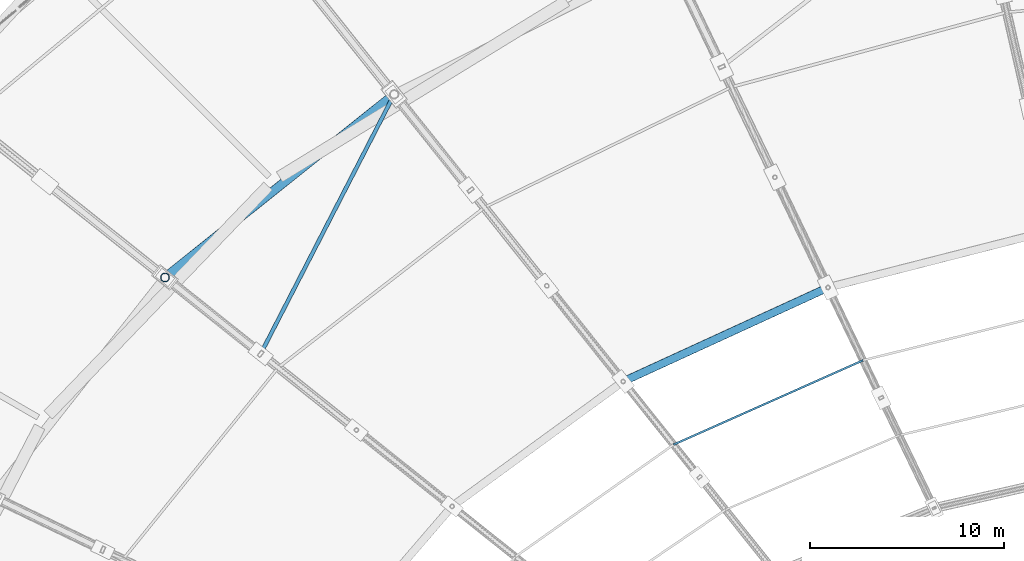
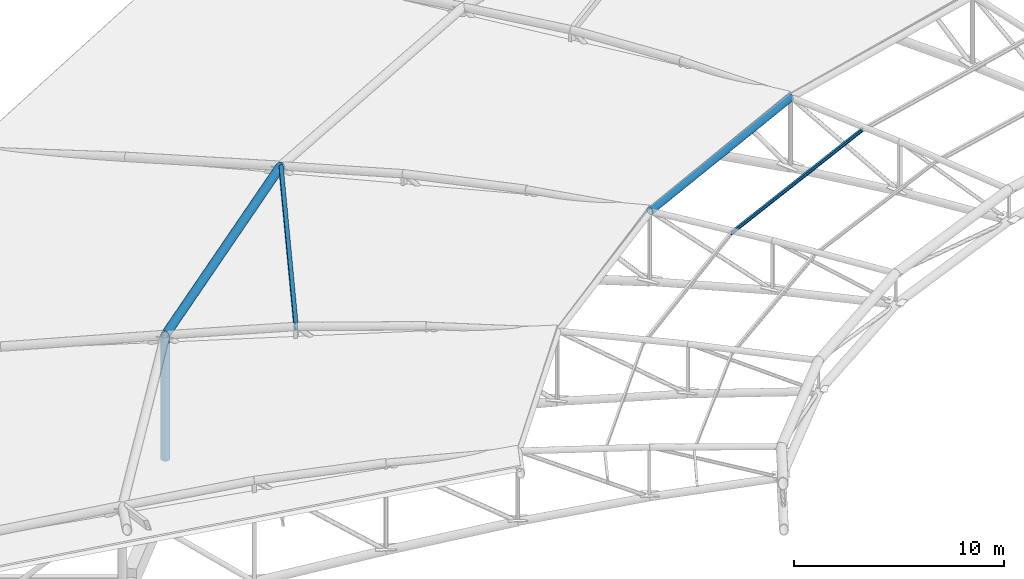
# One storey, part 42 of 108: 5 members.
"""IFC4 building model written with IfcOpenShell, lengths in metres."""

from ifc_helpers import new_model, si_unit, direction, frame, origin, origin_2d, place, context, subcontext, project, spatial, hollow_rectangle, hollow_circle, i_section, extrude, material, material_profile, profile_set, type_object, element, save


model = new_model("IFC4")

# Units and contexts
model_context = context("Model", 3, precision=1e-05, world=origin(), true_north=direction((0.0, 1.0)))
body_context = subcontext(model_context, "Body", "Model", "MODEL_VIEW")
ifc_project = project(units=[si_unit("LENGTHUNIT", "METRE"), si_unit("AREAUNIT", "SQUARE_METRE"), si_unit("VOLUMEUNIT", "CUBIC_METRE"), si_unit("PLANEANGLEUNIT", "RADIAN"), si_unit("MASSUNIT", "GRAM", prefix="KILO")], contexts=[model_context])

# Site, building, storey
site_placement = place(None, origin())
site = spatial("IfcSite", under=ifc_project, at=site_placement, CompositionType="ELEMENT")
building_placement = place(site_placement, origin())
building = spatial("IfcBuilding", under=site, at=building_placement, Name="Zevraka Park Crest Stadium", CompositionType="ELEMENT")
storey_placement = place(building_placement, frame((0.0, 0.0, 29.39990234375)))
storey = spatial("IfcBuildingStorey", under=building, at=storey_placement, Name="RF", CompositionType="ELEMENT", Elevation=29.39990234375)

# Members
ifc_material_1 = material(Name="Steel S355", Category="steel")
ifc_material_profile_1 = material_profile(ifc_material_1, i_section(OverallWidth=0.10009765625, OverallDepth=0.199951171875, WebThickness=0.005615234375, FlangeThickness=0.008544921875, at=origin_2d()), Name="IPE 200")
ifc_profile_set_1 = profile_set([ifc_material_profile_1], Name="Steel S355")
member_type_1 = type_object("IfcMemberType", Name="PR03", PredefinedType="PURLIN", material=ifc_profile_set_1)
member_1_placement = place(storey_placement, frame((89.679931640625, 124.8330078125, 9.173095703125), z_axis=(-0.913569046429, -0.406683657658, 0.0), x_axis=(0.406683657658, -0.913569046429, 0.0)))
element("IfcMember", 1, at=member_1_placement, inside=storey, type_object=member_type_1, Name="Canopy Roof Purlin PR03 INNER-10-1", PredefinedType="PURLIN", context=body_context, shape_type="SweptSolid", body=[
    extrude(i_section(OverallWidth=0.10009765625, OverallDepth=0.199951171875, WebThickness=0.005615234375, FlangeThickness=0.008544921875, at=origin_2d()), origin(), (0.0, 0.0, 1.0), 10.6767578125),
])
ifc_material_2 = material(Name="Steel S355", Category="steel")
ifc_material_profile_2 = material_profile(ifc_material_2, hollow_circle(Radius=0.228515625, WallThickness=0.02490234375, at=origin_2d()), Name="CHS 457.0x25")
ifc_profile_set_2 = profile_set([ifc_material_profile_2], Name="Steel S355")
member_type_2 = type_object("IfcMemberType", Name="TC02", PredefinedType="CHORD", material=ifc_profile_set_2)
member_2_placement = place(storey_placement, frame((53.75390625, 129.097900390625, 0.0), z_axis=(0.0, 0.0, 1.0), x_axis=(-0.781847027868, 0.623470308046, 0.0)))
element("IfcMember", 2, at=member_2_placement, inside=storey, type_object=member_type_2, Name="Roof Truss Anchor Strut TC02 T12-2", PredefinedType="CHORD", context=body_context, shape_type="SweptSolid", body=[
    extrude(hollow_circle(Radius=0.228515625, WallThickness=0.02490234375, at=origin_2d()), origin(), (0.0, 0.0, 1.0), 7.2001953125),
])
member_3_placement = place(storey_placement, frame((65.550048828125, 138.51904296875, 7.2001953125), z_axis=(-0.781378161986, -0.624057824221, 0.0), x_axis=(0.624057824221, -0.781378161986, 0.0)))
element("IfcMember", 3, at=member_3_placement, inside=storey, type_object=member_type_2, Name="Roof Main Bowl-Rim Ring Chord TC02 11", PredefinedType="CHORD", context=body_context, shape_type="SweptSolid", body=[
    extrude(hollow_circle(Radius=0.228515625, WallThickness=0.02490234375, at=origin_2d()), origin(), (0.0, 0.0, 1.0), 15.0966796875),
])
ifc_material_3 = material(Name="Steel S355", Category="steel")
ifc_material_profile_3 = material_profile(ifc_material_3, hollow_circle(Radius=0.203125, WallThickness=0.02001953125, at=origin_2d()), Name="CHS 406.4x20")
ifc_profile_set_3 = profile_set([ifc_material_profile_3], Name="Steel S355")
member_type_3 = type_object("IfcMemberType", Name="TC03", PredefinedType="CHORD", material=ifc_profile_set_3)
member_4_placement = place(storey_placement, frame((87.8759765625, 128.5791015625, 9.400146484375), z_axis=(-0.908888015597, -0.417040255976, 0.0), x_axis=(0.417040255976, -0.908888015597, 0.0)))
element("IfcMember", 4, at=member_4_placement, inside=storey, type_object=member_type_3, Name="Roof Canopy Arch Crown Ring Chord TC03 10", PredefinedType="CHORD", context=body_context, shape_type="SweptSolid", body=[
    extrude(hollow_circle(Radius=0.203125, WallThickness=0.02001953125, at=origin_2d()), origin(), (0.0, 0.0, 1.0), 11.598876953125),
])
ifc_material_4 = material(Name="Steel S355", Category="steel")
ifc_material_profile_4 = material_profile(ifc_material_4, hollow_rectangle(XDim=0.199951171875, YDim=0.39990234375, WallThickness=0.01611328125, at=origin_2d()), Name="RHS 400x200x16")
ifc_profile_set_4 = profile_set([ifc_material_profile_4], Name="Steel S355")
member_type_4 = type_object("IfcMemberType", Name="WB06", PredefinedType="BRACE", material=ifc_profile_set_4)
member_5_placement = place(storey_placement, frame((65.550048828125, 138.51904296875, 7.2001953125), z_axis=(-0.456318712357, -0.886533348289, 0.076366583826), x_axis=(0.889129777348, -0.457655152962, 0.0)))
element("IfcMember", 5, at=member_5_placement, inside=storey, type_object=member_type_4, Name="Canopy Roof Wind Brace WB06 11", PredefinedType="BRACE", context=body_context, shape_type="SweptSolid", body=[
    extrude(hollow_rectangle(XDim=0.199951171875, YDim=0.39990234375, WallThickness=0.01611328125, at=origin_2d()), origin(), (0.0, 0.0, 1.0), 15.0576171875),
])

save(model, "model.ifc")
